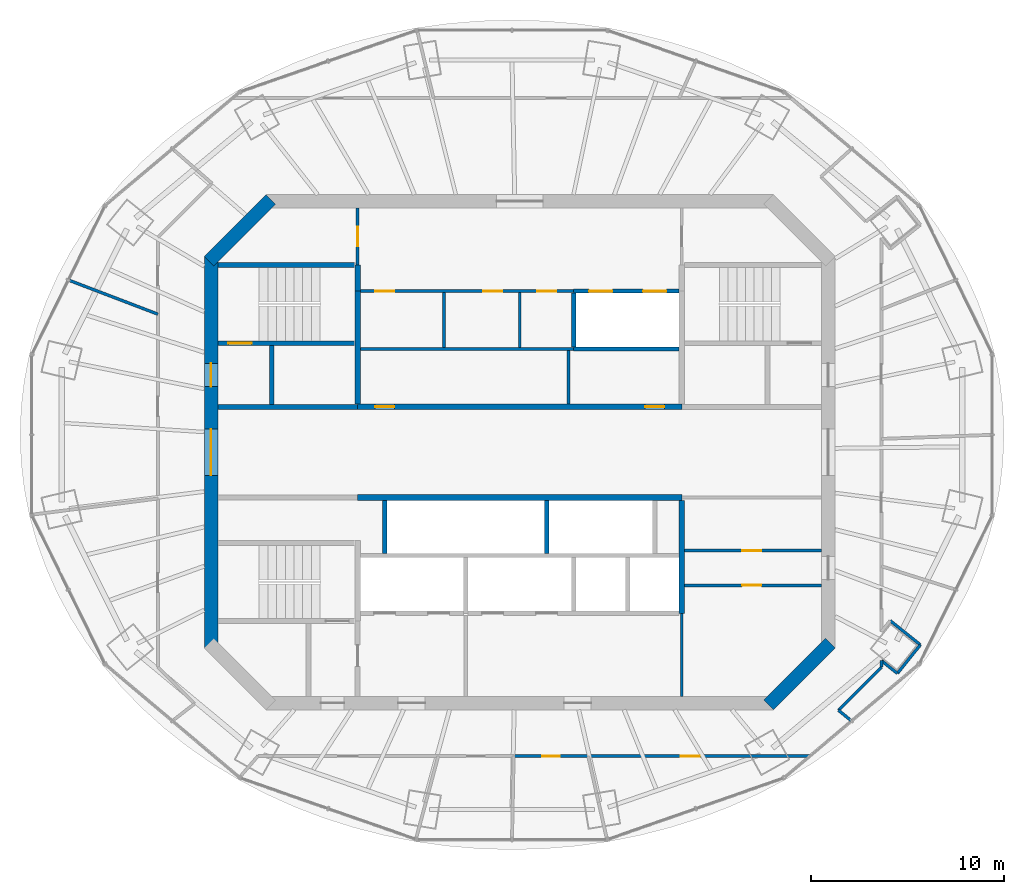
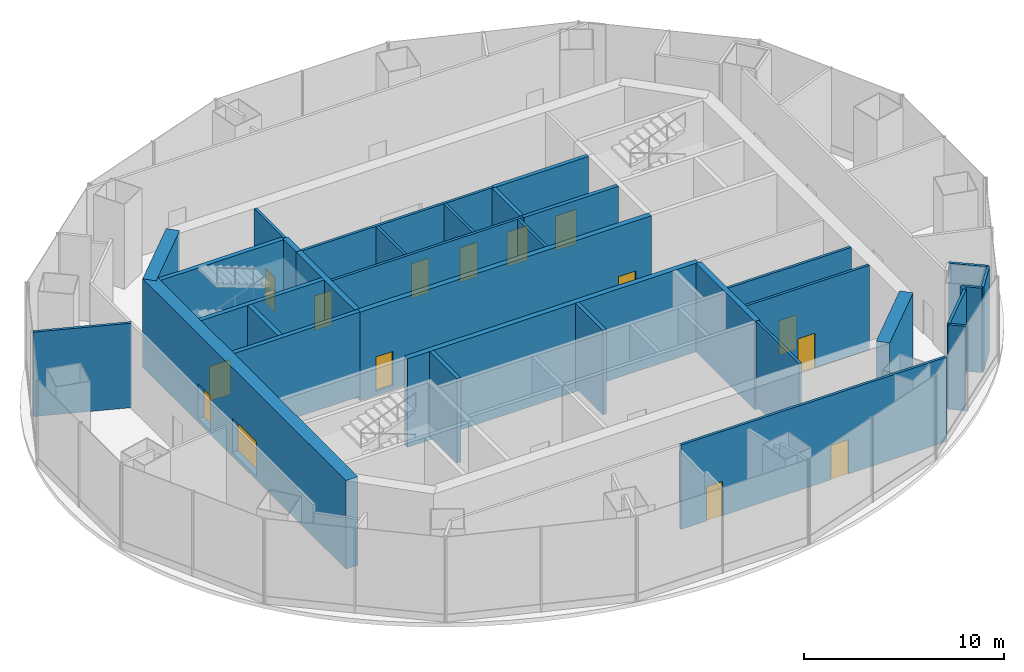
# One storey, part 8 of 11: 34 walls, 15 doors, 15 openings.
"""IFC4 building model written with IfcOpenShell, lengths in metres."""

from ifc_helpers import new_model, si_unit, direction, frame, frame_2d, origin, place, context, subcontext, project, spatial, rectangle, extrude, material, layer, layer_set, type_object, element, fill, save


model = new_model("IFC4")

# Units and contexts
model_context = context("Model", 3, precision=1e-05, world=origin(), true_north=direction((0.0, 1.0)))
body_context = subcontext(model_context, "Body", "Model", "MODEL_VIEW")
ifc_project = project(units=[si_unit("LENGTHUNIT", "METRE"), si_unit("AREAUNIT", "SQUARE_METRE"), si_unit("VOLUMEUNIT", "CUBIC_METRE"), si_unit("PLANEANGLEUNIT", "RADIAN"), si_unit("MASSUNIT", "GRAM", prefix="KILO")], contexts=[model_context])

# Site, building, storey
site_placement = place(None, origin())
site = spatial("IfcSite", under=ifc_project, at=site_placement, CompositionType="ELEMENT")
building_placement = place(site_placement, origin())
building = spatial("IfcBuilding", under=site, at=building_placement, Name="Marenthal Gate Tower", CompositionType="ELEMENT")
storey_placement = place(building_placement, frame((0.0, 0.0, 396.550048828125)))
storey = spatial("IfcBuildingStorey", under=building, at=storey_placement, Name="L90", CompositionType="ELEMENT", Elevation=396.550048828125)

# Walls
ifc_material_1 = material(Name="Concrete 60 MPa", Category="concrete")
ifc_layer_1 = layer(ifc_material_1, 0.699951171875)
ifc_layer_set_1 = layer_set([ifc_layer_1], Name="Core shear wall 700")
wall_type_1 = type_object("IfcWallType", Name="Core shear wall 700", PredefinedType="SHEAR", material=ifc_layer_set_1)
for number, where, z_axis, x_axis, name in (
    (1, (12.8974609375, -13.1025390625, -0.25), (0.0, 0.0, 1.0), (0.707106781187, 0.707106781187, 0.0), "Core wall 01"),
    (2, (-12.8974609375, 13.1025390625, -0.25), (0.0, 0.0, 1.0), (-0.707106781187, -0.707106781187, 0.0), "Core wall 05"),
):
    element("IfcWall", number, at=place(storey_placement, frame(where, z_axis=z_axis, x_axis=x_axis)), inside=storey, type_object=wall_type_1, Name=name, PredefinedType="SHEAR", context=body_context, shape_type="SweptSolid", body=[
        extrude(rectangle(XDim=4.53271484375, YDim=0.699951171875, at=frame_2d((2.266357421875, 0.0))), origin(), (0.0, 0.0, 1.0), 5.39990234375),
    ])

# Wall, openings, doors
wall_1_placement = place(storey_placement, frame((-16.0, 10.14501953125, -0.25), z_axis=(0.0, 0.0, 1.0), x_axis=(0.0, -1.0, 0.0)))
wall_1 = element("IfcWall", 3, at=wall_1_placement, inside=storey, type_object=wall_type_1, Name="Core wall 06", PredefinedType="SHEAR", context=body_context, shape_type="SweptSolid", body=[
    extrude(rectangle(XDim=20.2900390625, YDim=0.699951171875, at=frame_2d((10.14501953125, 0.0))), origin(), (0.0, 0.0, 1.0), 5.39990234375),
])
opening_1_placement = place(wall_1_placement, frame((8.945068359375, 0.0, 0.25)))
opening_1 = element("IfcOpeningElement", 4, at=opening_1_placement, cuts=wall_1, Name="Opening D003.01", PredefinedType="OPENING", context=body_context, shape_type="SweptSolid", body=[
    extrude(rectangle(XDim=2.39990234375, YDim=2.10009765625, at=frame_2d((1.199951171875, 1.050048828125))), frame((0.0, 0.35986328125, 0.0), z_axis=(0.0, -1.0, 0.0), x_axis=(1.0, 0.0, 0.0)), (0.0, 0.0, 1.0), 0.719970703125),
])
opening_2_placement = place(wall_1_placement, frame((5.544921875, 0.0, 0.25)))
opening_2 = element("IfcOpeningElement", 5, at=opening_2_placement, cuts=wall_1, Name="Opening D001.04", PredefinedType="OPENING", context=body_context, shape_type="SweptSolid", body=[
    extrude(rectangle(XDim=1.199951171875, YDim=2.10009765625, at=frame_2d((0.60009765625, 1.050048828125))), frame((0.0, 0.35986328125, 0.0), z_axis=(0.0, -1.0, 0.0), x_axis=(1.0, 0.0, 0.0)), (0.0, 0.0, 1.0), 0.719970703125),
])
ifc_material_2 = material(Name="Steel fire door", Category="steel")
door_type_1 = type_object("IfcDoorType", Name="Double fire door FD 45 2400 x 2100", OperationType="DOUBLE_DOOR_SINGLE_SWING", PredefinedType="DOOR", material=ifc_material_2)
door_1_placement = place(opening_1_placement, origin())
door_1 = element("IfcDoor", 6, at=door_1_placement, inside=storey, type_object=door_type_1, Name="Door D003.01", OperationType="DOUBLE_DOOR_SINGLE_SWING", OverallHeight=2.10009765625, OverallWidth=2.39990234375, PredefinedType="DOOR", context=body_context, shape_type="SweptSolid", body=[
    extrude(rectangle(XDim=2.39990234375, YDim=2.10009765625, at=frame_2d((1.199951171875, 1.050048828125))), frame((0.0, 0.02490234375, 0.0), z_axis=(0.0, -1.0, 0.0), x_axis=(1.0, 0.0, 0.0)), (0.0, 0.0, 1.0), 0.050048828125),
])
fill(opening_1, door_1)
ifc_material_3 = material(Name="Steel fire door", Category="steel")
door_type_2 = type_object("IfcDoorType", Name="Fire door FD 90 1200 x 2100", OperationType="NOTDEFINED", PredefinedType="DOOR", material=ifc_material_3)
door_2_placement = place(opening_2_placement, origin())
door_2 = element("IfcDoor", 7, at=door_2_placement, inside=storey, type_object=door_type_2, Name="Door D001.04", OperationType="SINGLE_SWING_RIGHT", OverallHeight=2.10009765625, OverallWidth=1.199951171875, PredefinedType="DOOR", context=body_context, shape_type="SweptSolid", body=[
    extrude(rectangle(XDim=1.199951171875, YDim=2.10009765625, at=frame_2d((0.60009765625, 1.050048828125))), frame((0.0, 0.02490234375, 0.0), z_axis=(0.0, -1.0, 0.0), x_axis=(1.0, 0.0, 0.0)), (0.0, 0.0, 1.0), 0.050048828125),
])
fill(opening_2, door_2)

# Wall
ifc_material_4 = material(Name="Concrete 50 MPa", Category="concrete")
ifc_layer_2 = layer(ifc_material_4, 0.300048828125)
ifc_layer_set_2 = layer_set([ifc_layer_2], Name="Hoistway shear wall 300")
wall_type_2 = type_object("IfcWallType", Name="Hoistway shear wall 300", PredefinedType="SHEAR", material=ifc_layer_set_2)
wall_2_placement = place(storey_placement, frame((-8.39990234375, -2.35009765625, -0.25), z_axis=(0.0, 0.0, 1.0), x_axis=(1.0, 0.0, 0.0)))
element("IfcWall", 8, at=wall_2_placement, inside=storey, type_object=wall_type_2, Name="Hoistway wall 17", PredefinedType="SHEAR", context=body_context, shape_type="SweptSolid", body=[
    extrude(rectangle(XDim=16.7998046875, YDim=0.300048828125, at=frame_2d((8.39990234375, 0.0))), origin(), (0.0, 0.0, 1.0), 5.39990234375),
])

# Wall, openings, doors
wall_3_placement = place(storey_placement, frame((-8.39990234375, 2.35009765625, -0.25), z_axis=(0.0, 0.0, 1.0), x_axis=(1.0, 0.0, 0.0)))
wall_3 = element("IfcWall", 9, at=wall_3_placement, inside=storey, type_object=wall_type_2, Name="Hoistway wall 20", PredefinedType="SHEAR", context=body_context, shape_type="SweptSolid", body=[
    extrude(rectangle(XDim=16.7998046875, YDim=0.300048828125, at=frame_2d((8.39990234375, 0.0))), origin(), (0.0, 0.0, 1.0), 5.39990234375),
])
opening_3_placement = place(wall_3_placement, frame((0.89990234375, 0.0, 0.25)))
opening_3 = element("IfcOpeningElement", 10, at=opening_3_placement, cuts=wall_3, Name="Opening D005.01", PredefinedType="OPENING", context=body_context, shape_type="SweptSolid", body=[
    extrude(rectangle(XDim=1.0, YDim=2.10009765625, at=frame_2d((0.5, 1.050048828125))), frame((0.0, 0.16015625, 0.0), z_axis=(0.0, -1.0, 0.0), x_axis=(1.0, 0.0, 0.0)), (0.0, 0.0, 1.0), 0.320068359375),
])
opening_4_placement = place(wall_3_placement, frame((14.89990234375, 0.0, 0.25)))
opening_4 = element("IfcOpeningElement", 11, at=opening_4_placement, cuts=wall_3, Name="Opening D005.02", PredefinedType="OPENING", context=body_context, shape_type="SweptSolid", body=[
    extrude(rectangle(XDim=1.0, YDim=2.10009765625, at=frame_2d((0.5, 1.050048828125))), frame((0.0, 0.16015625, 0.0), z_axis=(0.0, -1.0, 0.0), x_axis=(1.0, 0.0, 0.0)), (0.0, 0.0, 1.0), 0.320068359375),
])
ifc_material_5 = material(Name="Steel fire door", Category="steel")
door_type_3 = type_object("IfcDoorType", Name="Fire door FD 45 1000 x 2100", OperationType="NOTDEFINED", PredefinedType="DOOR", material=ifc_material_5)
door_3_placement = place(opening_3_placement, origin())
door_3 = element("IfcDoor", 12, at=door_3_placement, inside=storey, type_object=door_type_3, Name="Door D005.01", OperationType="SINGLE_SWING_RIGHT", OverallHeight=2.10009765625, OverallWidth=1.0, PredefinedType="DOOR", context=body_context, shape_type="SweptSolid", body=[
    extrude(rectangle(XDim=1.0, YDim=2.10009765625, at=frame_2d((0.5, 1.050048828125))), frame((0.0, 0.02490234375, 0.0), z_axis=(0.0, -1.0, 0.0), x_axis=(1.0, 0.0, 0.0)), (0.0, 0.0, 1.0), 0.050048828125),
])
fill(opening_3, door_3)
door_4_placement = place(opening_4_placement, origin())
door_4 = element("IfcDoor", 13, at=door_4_placement, inside=storey, type_object=door_type_3, Name="Door D005.02", OperationType="SINGLE_SWING_RIGHT", OverallHeight=2.10009765625, OverallWidth=1.0, PredefinedType="DOOR", context=body_context, shape_type="SweptSolid", body=[
    extrude(rectangle(XDim=1.0, YDim=2.10009765625, at=frame_2d((0.5, 1.050048828125))), frame((0.0, 0.02490234375, 0.0), z_axis=(0.0, -1.0, 0.0), x_axis=(1.0, 0.0, 0.0)), (0.0, 0.0, 1.0), 0.050048828125),
])
fill(opening_4, door_4)

# Walls
for number, where, z_axis, x_axis, name in (
    (14, (-8.39990234375, 2.5, -0.25), (0.0, 0.0, 1.0), (0.0, 1.0, 0.0), "Hoistway wall 34"),
    (15, (8.39990234375, -8.35009765625, -0.25), (0.0, 0.0, 1.0), (0.0, 1.0, 0.0), "Hoistway wall 49"),
):
    element("IfcWall", number, at=place(storey_placement, frame(where, z_axis=z_axis, x_axis=x_axis)), inside=storey, type_object=wall_type_2, Name=name, PredefinedType="SHEAR", context=body_context, shape_type="SweptSolid", body=[
        extrude(rectangle(XDim=5.85009765625, YDim=0.300048828125, at=frame_2d((2.925048828125, 0.0))), origin(), (0.0, 0.0, 1.0), 5.39990234375),
    ])
ifc_material_6 = material(Name="Concrete 40 MPa", Category="concrete")
ifc_layer_3 = layer(ifc_material_6, 0.219970703125)
ifc_layer_set_3 = layer_set([ifc_layer_3], Name="Hoistway wall 220")
wall_type_3 = type_object("IfcWallType", Name="Hoistway wall 220", PredefinedType="STANDARD", material=ifc_layer_set_3)
wall_4_placement = place(storey_placement, frame((2.800048828125, 5.35009765625, 0.0), z_axis=(0.0, 0.0, 1.0), x_axis=(1.0, 0.0, 0.0)))
element("IfcWall", 16, at=wall_4_placement, inside=storey, type_object=wall_type_3, Name="Hoistway wall 23", PredefinedType="STANDARD", context=body_context, shape_type="SweptSolid", body=[
    extrude(rectangle(XDim=5.449951171875, YDim=0.219970703125, at=frame_2d((2.72509765625, 0.0))), origin(), (0.0, 0.0, 1.0), 5.14990234375),
])

# Wall, openings, doors
wall_5_placement = place(storey_placement, frame((2.800048828125, 8.35009765625, 0.0), z_axis=(0.0, 0.0, 1.0), x_axis=(1.0, 0.0, 0.0)))
wall_5 = element("IfcWall", 17, at=wall_5_placement, inside=storey, type_object=wall_type_3, Name="Hoistway wall 27", PredefinedType="STANDARD", context=body_context, shape_type="SweptSolid", body=[
    extrude(rectangle(XDim=5.449951171875, YDim=0.219970703125, at=frame_2d((2.72509765625, 0.0))), origin(), (0.0, 0.0, 1.0), 5.14990234375),
])
opening_5_placement = place(wall_5_placement, frame((0.800048828125, 0.0, 0.0)))
opening_5 = element("IfcOpeningElement", 18, at=opening_5_placement, cuts=wall_5, Name="Opening LD-OB1", PredefinedType="OPENING", context=body_context, shape_type="SweptSolid", body=[
    extrude(rectangle(XDim=1.199951171875, YDim=2.10009765625, at=frame_2d((0.60009765625, 1.050048828125))), frame((0.0, 0.1201171875, 0.0), z_axis=(0.0, -1.0, 0.0), x_axis=(1.0, 0.0, 0.0)), (0.0, 0.0, 1.0), 0.239990234375),
])
opening_6_placement = place(wall_5_placement, frame((3.60009765625, 0.0, 0.0)))
opening_6 = element("IfcOpeningElement", 19, at=opening_6_placement, cuts=wall_5, Name="Opening LD-OB2", PredefinedType="OPENING", context=body_context, shape_type="SweptSolid", body=[
    extrude(rectangle(XDim=1.199951171875, YDim=2.10009765625, at=frame_2d((0.60009765625, 1.050048828125))), frame((0.0, 0.1201171875, 0.0), z_axis=(0.0, -1.0, 0.0), x_axis=(1.0, 0.0, 0.0)), (0.0, 0.0, 1.0), 0.239990234375),
])
ifc_material_7 = material(Name="Stainless steel sliding door", Category="steel")
door_type_4 = type_object("IfcDoorType", Name="Lift landing door FD 90 1200 x 2100", OperationType="DOUBLE_DOOR_SLIDING", PredefinedType="DOOR", material=ifc_material_7)
door_5_placement = place(opening_5_placement, origin())
door_5 = element("IfcDoor", 20, at=door_5_placement, inside=storey, type_object=door_type_4, Name="Lift landing door OB1", OperationType="DOUBLE_DOOR_SLIDING", OverallHeight=2.10009765625, OverallWidth=1.199951171875, PredefinedType="DOOR", context=body_context, shape_type="SweptSolid", body=[
    extrude(rectangle(XDim=1.199951171875, YDim=2.10009765625, at=frame_2d((0.60009765625, 1.050048828125))), frame((0.0, 0.02490234375, 0.0), z_axis=(0.0, -1.0, 0.0), x_axis=(1.0, 0.0, 0.0)), (0.0, 0.0, 1.0), 0.050048828125),
])
fill(opening_5, door_5)
door_6_placement = place(opening_6_placement, origin())
door_6 = element("IfcDoor", 21, at=door_6_placement, inside=storey, type_object=door_type_4, Name="Lift landing door OB2", OperationType="DOUBLE_DOOR_SLIDING", OverallHeight=2.10009765625, OverallWidth=1.199951171875, PredefinedType="DOOR", context=body_context, shape_type="SweptSolid", body=[
    extrude(rectangle(XDim=1.199951171875, YDim=2.10009765625, at=frame_2d((0.60009765625, 1.050048828125))), frame((0.0, 0.02490234375, 0.0), z_axis=(0.0, -1.0, 0.0), x_axis=(1.0, 0.0, 0.0)), (0.0, 0.0, 1.0), 0.050048828125),
])
fill(opening_6, door_6)

# Walls
for number, where, z_axis, x_axis, name in (
    (22, (-7.0, -5.239990234375, 0.0), (0.0, 0.0, 1.0), (0.0, 1.0, 0.0), "Hoistway wall 37"),
    (23, (1.39990234375, -5.239990234375, 0.0), (0.0, 0.0, 1.0), (0.0, 1.0, 0.0), "Hoistway wall 42"),
):
    element("IfcWall", number, at=place(storey_placement, frame(where, z_axis=z_axis, x_axis=x_axis)), inside=storey, type_object=wall_type_3, Name=name, PredefinedType="STANDARD", context=body_context, shape_type="SweptSolid", body=[
        extrude(rectangle(XDim=2.739990234375, YDim=0.219970703125, at=frame_2d((1.3701171875, 0.0))), origin(), (0.0, 0.0, 1.0), 5.14990234375),
    ])
wall_6_placement = place(storey_placement, frame((2.800048828125, 5.4599609375, 0.0), z_axis=(0.0, 0.0, 1.0), x_axis=(0.0, 1.0, 0.0)))
element("IfcWall", 24, at=wall_6_placement, inside=storey, type_object=wall_type_3, Name="Hoistway wall 45", PredefinedType="STANDARD", context=body_context, shape_type="SweptSolid", body=[
    extrude(rectangle(XDim=2.780029296875, YDim=0.219970703125, at=frame_2d((1.39013671875, 0.0))), origin(), (0.0, 0.0, 1.0), 5.14990234375),
])

# Wall, opening, door
ifc_material_8 = material(Name="Gypsum board on steel studs", Category="steel")
ifc_layer_4 = layer(ifc_material_8, 0.14990234375)
ifc_layer_set_4 = layer_set([ifc_layer_4], Name="Partition 150")
wall_type_4 = type_object("IfcWallType", Name="Partition 150", PredefinedType="PARTITIONING", material=ifc_layer_set_4)
wall_7_placement = place(storey_placement, frame((8.550048828125, -6.89990234375, 0.0), z_axis=(0.0, 0.0, 1.0), x_axis=(1.0, 0.0, 0.0)))
wall_7 = element("IfcWall", 25, at=wall_7_placement, inside=storey, type_object=wall_type_4, Name="Partition wall 12", PredefinedType="PARTITIONING", context=body_context, shape_type="SweptSolid", body=[
    extrude(rectangle(XDim=7.099853515625, YDim=0.14990234375, at=frame_2d((3.5498046875, 0.0))), origin(), (0.0, 0.0, 1.0), 5.14990234375),
])
opening_7_placement = place(wall_7_placement, frame((2.97509765625, 0.0, 0.0)))
opening_7 = element("IfcOpeningElement", 26, at=opening_7_placement, cuts=wall_7, Name="Opening D005.09", PredefinedType="OPENING", context=body_context, shape_type="SweptSolid", body=[
    extrude(rectangle(XDim=1.0, YDim=2.10009765625, at=frame_2d((0.5, 1.050048828125))), frame((0.0, 0.0849609375, 0.0), z_axis=(0.0, -1.0, 0.0), x_axis=(1.0, 0.0, 0.0)), (0.0, 0.0, 1.0), 0.169921875),
])
door_7_placement = place(opening_7_placement, frame((1.0, 0.0, 0.0), z_axis=(0.0, 0.0, 1.0), x_axis=(-1.0, 0.0, 0.0)))
door_7 = element("IfcDoor", 27, at=door_7_placement, inside=storey, type_object=door_type_3, Name="Door D005.09", OperationType="SINGLE_SWING_LEFT", OverallHeight=2.10009765625, OverallWidth=1.0, PredefinedType="DOOR", context=body_context, shape_type="SweptSolid", body=[
    extrude(rectangle(XDim=1.0, YDim=2.10009765625, at=frame_2d((0.5, 1.050048828125))), frame((0.0, 0.02490234375, 0.0), z_axis=(0.0, -1.0, 0.0), x_axis=(1.0, 0.0, 0.0)), (0.0, 0.0, 1.0), 0.050048828125),
])
fill(opening_7, door_7)

wall_8_placement = place(storey_placement, frame((8.550048828125, -5.10009765625, 0.0), z_axis=(0.0, 0.0, 1.0), x_axis=(1.0, 0.0, 0.0)))
wall_8 = element("IfcWall", 28, at=wall_8_placement, inside=storey, type_object=wall_type_4, Name="Partition wall 14", PredefinedType="PARTITIONING", context=body_context, shape_type="SweptSolid", body=[
    extrude(rectangle(XDim=7.099853515625, YDim=0.14990234375, at=frame_2d((3.5498046875, 0.0))), origin(), (0.0, 0.0, 1.0), 5.14990234375),
])
opening_8_placement = place(wall_8_placement, frame((2.97509765625, 0.0, 0.0)))
opening_8 = element("IfcOpeningElement", 29, at=opening_8_placement, cuts=wall_8, Name="Opening D005.08", PredefinedType="OPENING", context=body_context, shape_type="SweptSolid", body=[
    extrude(rectangle(XDim=1.0, YDim=2.10009765625, at=frame_2d((0.5, 1.050048828125))), frame((0.0, 0.0849609375, 0.0), z_axis=(0.0, -1.0, 0.0), x_axis=(1.0, 0.0, 0.0)), (0.0, 0.0, 1.0), 0.169921875),
])
door_8_placement = place(opening_8_placement, origin())
door_8 = element("IfcDoor", 30, at=door_8_placement, inside=storey, type_object=door_type_3, Name="Door D005.08", OperationType="SINGLE_SWING_RIGHT", OverallHeight=2.10009765625, OverallWidth=1.0, PredefinedType="DOOR", context=body_context, shape_type="SweptSolid", body=[
    extrude(rectangle(XDim=1.0, YDim=2.10009765625, at=frame_2d((0.5, 1.050048828125))), frame((0.0, 0.02490234375, 0.0), z_axis=(0.0, -1.0, 0.0), x_axis=(1.0, 0.0, 0.0)), (0.0, 0.0, 1.0), 0.050048828125),
])
fill(opening_8, door_8)

# Wall
wall_9_placement = place(storey_placement, frame((-8.25, 5.35009765625, 0.0), z_axis=(0.0, 0.0, 1.0), x_axis=(1.0, 0.0, 0.0)))
element("IfcWall", 31, at=wall_9_placement, inside=storey, type_object=wall_type_4, Name="Partition wall 22", PredefinedType="PARTITIONING", context=body_context, shape_type="SweptSolid", body=[
    extrude(rectangle(XDim=11.050048828125, YDim=0.14990234375, at=frame_2d((5.52490234375, 0.0))), origin(), (0.0, 0.0, 1.0), 5.14990234375),
])

# Wall, openings, doors
wall_10_placement = place(storey_placement, frame((-8.25, 8.35009765625, 0.0), z_axis=(0.0, 0.0, 1.0), x_axis=(1.0, 0.0, 0.0)))
wall_10 = element("IfcWall", 32, at=wall_10_placement, inside=storey, type_object=wall_type_4, Name="Partition wall 26", PredefinedType="PARTITIONING", context=body_context, shape_type="SweptSolid", body=[
    extrude(rectangle(XDim=11.050048828125, YDim=0.14990234375, at=frame_2d((5.52490234375, 0.0))), origin(), (0.0, 0.0, 1.0), 5.14990234375),
])
opening_9_placement = place(wall_10_placement, frame((0.75, 0.0, 0.0)))
opening_9 = element("IfcOpeningElement", 33, at=opening_9_placement, cuts=wall_10, Name="Opening D005.03", PredefinedType="OPENING", context=body_context, shape_type="SweptSolid", body=[
    extrude(rectangle(XDim=1.0, YDim=2.10009765625, at=frame_2d((0.5, 1.050048828125))), frame((0.0, 0.0849609375, 0.0), z_axis=(0.0, -1.0, 0.0), x_axis=(1.0, 0.0, 0.0)), (0.0, 0.0, 1.0), 0.169921875),
])
opening_10_placement = place(wall_10_placement, frame((6.35009765625, 0.0, 0.0)))
opening_10 = element("IfcOpeningElement", 34, at=opening_10_placement, cuts=wall_10, Name="Opening D005.04", PredefinedType="OPENING", context=body_context, shape_type="SweptSolid", body=[
    extrude(rectangle(XDim=1.0, YDim=2.10009765625, at=frame_2d((0.5, 1.050048828125))), frame((0.0, 0.0849609375, 0.0), z_axis=(0.0, -1.0, 0.0), x_axis=(1.0, 0.0, 0.0)), (0.0, 0.0, 1.0), 0.169921875),
])
opening_11_placement = place(wall_10_placement, frame((9.14990234375, 0.0, 0.0)))
opening_11 = element("IfcOpeningElement", 35, at=opening_11_placement, cuts=wall_10, Name="Opening D005.05", PredefinedType="OPENING", context=body_context, shape_type="SweptSolid", body=[
    extrude(rectangle(XDim=1.0, YDim=2.10009765625, at=frame_2d((0.5, 1.050048828125))), frame((0.0, 0.0849609375, 0.0), z_axis=(0.0, -1.0, 0.0), x_axis=(1.0, 0.0, 0.0)), (0.0, 0.0, 1.0), 0.169921875),
])
door_9_placement = place(opening_9_placement, frame((1.0, 0.0, 0.0), z_axis=(0.0, 0.0, 1.0), x_axis=(-1.0, 0.0, 0.0)))
door_9 = element("IfcDoor", 36, at=door_9_placement, inside=storey, type_object=door_type_3, Name="Door D005.03", OperationType="SINGLE_SWING_LEFT", OverallHeight=2.10009765625, OverallWidth=1.0, PredefinedType="DOOR", context=body_context, shape_type="SweptSolid", body=[
    extrude(rectangle(XDim=1.0, YDim=2.10009765625, at=frame_2d((0.5, 1.050048828125))), frame((0.0, 0.02490234375, 0.0), z_axis=(0.0, -1.0, 0.0), x_axis=(1.0, 0.0, 0.0)), (0.0, 0.0, 1.0), 0.050048828125),
])
fill(opening_9, door_9)
door_10_placement = place(opening_10_placement, frame((1.0, 0.0, 0.0), z_axis=(0.0, 0.0, 1.0), x_axis=(-1.0, 0.0, 0.0)))
door_10 = element("IfcDoor", 37, at=door_10_placement, inside=storey, type_object=door_type_3, Name="Door D005.04", OperationType="SINGLE_SWING_LEFT", OverallHeight=2.10009765625, OverallWidth=1.0, PredefinedType="DOOR", context=body_context, shape_type="SweptSolid", body=[
    extrude(rectangle(XDim=1.0, YDim=2.10009765625, at=frame_2d((0.5, 1.050048828125))), frame((0.0, 0.02490234375, 0.0), z_axis=(0.0, -1.0, 0.0), x_axis=(1.0, 0.0, 0.0)), (0.0, 0.0, 1.0), 0.050048828125),
])
fill(opening_10, door_10)
door_11_placement = place(opening_11_placement, frame((1.0, 0.0, 0.0), z_axis=(0.0, 0.0, 1.0), x_axis=(-1.0, 0.0, 0.0)))
door_11 = element("IfcDoor", 38, at=door_11_placement, inside=storey, type_object=door_type_3, Name="Door D005.05", OperationType="SINGLE_SWING_LEFT", OverallHeight=2.10009765625, OverallWidth=1.0, PredefinedType="DOOR", context=body_context, shape_type="SweptSolid", body=[
    extrude(rectangle(XDim=1.0, YDim=2.10009765625, at=frame_2d((0.5, 1.050048828125))), frame((0.0, 0.02490234375, 0.0), z_axis=(0.0, -1.0, 0.0), x_axis=(1.0, 0.0, 0.0)), (0.0, 0.0, 1.0), 0.050048828125),
])
fill(opening_11, door_11)

# Wall, opening, door
wall_11_placement = place(storey_placement, frame((-8.39990234375, 9.699951171875, 0.0), z_axis=(0.0, 0.0, 1.0), x_axis=(0.0, 1.0, 0.0)))
wall_11 = element("IfcWall", 39, at=wall_11_placement, inside=storey, type_object=wall_type_4, Name="Partition wall 36", PredefinedType="PARTITIONING", context=body_context, shape_type="SweptSolid", body=[
    extrude(rectangle(XDim=2.949951171875, YDim=0.14990234375, at=frame_2d((1.47509765625, 0.0))), origin(), (0.0, 0.0, 1.0), 5.14990234375),
])
opening_12_placement = place(wall_11_placement, frame((0.97509765625, 0.0, 0.0)))
opening_12 = element("IfcOpeningElement", 40, at=opening_12_placement, cuts=wall_11, Name="Opening D005.06", PredefinedType="OPENING", context=body_context, shape_type="SweptSolid", body=[
    extrude(rectangle(XDim=1.0, YDim=2.10009765625, at=frame_2d((0.5, 1.050048828125))), frame((0.0, 0.0849609375, 0.0), z_axis=(0.0, -1.0, 0.0), x_axis=(1.0, 0.0, 0.0)), (0.0, 0.0, 1.0), 0.169921875),
])
door_12_placement = place(opening_12_placement, origin())
door_12 = element("IfcDoor", 41, at=door_12_placement, inside=storey, type_object=door_type_3, Name="Door D005.06", OperationType="SINGLE_SWING_RIGHT", OverallHeight=2.10009765625, OverallWidth=1.0, PredefinedType="DOOR", context=body_context, shape_type="SweptSolid", body=[
    extrude(rectangle(XDim=1.0, YDim=2.10009765625, at=frame_2d((0.5, 1.050048828125))), frame((0.0, 0.02490234375, 0.0), z_axis=(0.0, -1.0, 0.0), x_axis=(1.0, 0.0, 0.0)), (0.0, 0.0, 1.0), 0.050048828125),
])
fill(opening_12, door_12)

# Walls
for number, where, z_axis, x_axis, name in (
    (42, (-3.919921875, 5.425048828125, 0.0), (0.0, 0.0, 1.0), (0.0, 1.0, 0.0), "Partition wall 38"),
    (43, (0.0, 5.425048828125, 0.0), (0.0, 0.0, 1.0), (0.0, 1.0, 0.0), "Partition wall 41"),
):
    element("IfcWall", number, at=place(storey_placement, frame(where, z_axis=z_axis, x_axis=x_axis)), inside=storey, type_object=wall_type_4, Name=name, PredefinedType="PARTITIONING", context=body_context, shape_type="SweptSolid", body=[
        extrude(rectangle(XDim=2.849853515625, YDim=0.14990234375, at=frame_2d((1.4248046875, 0.0))), origin(), (0.0, 0.0, 1.0), 5.14990234375),
    ])
wall_12_placement = place(storey_placement, frame((2.52001953125, 2.5, 0.0), z_axis=(0.0, 0.0, 1.0), x_axis=(0.0, 1.0, 0.0)))
element("IfcWall", 44, at=wall_12_placement, inside=storey, type_object=wall_type_4, Name="Partition wall 43", PredefinedType="PARTITIONING", context=body_context, shape_type="SweptSolid", body=[
    extrude(rectangle(XDim=2.77490234375, YDim=0.14990234375, at=frame_2d((1.387451171875, 0.0))), origin(), (0.0, 0.0, 1.0), 5.14990234375),
])
wall_13_placement = place(storey_placement, frame((8.39990234375, -12.64990234375, 0.0), z_axis=(0.0, 0.0, 1.0), x_axis=(0.0, 1.0, 0.0)))
element("IfcWall", 45, at=wall_13_placement, inside=storey, type_object=wall_type_4, Name="Partition wall 48", PredefinedType="PARTITIONING", context=body_context, shape_type="SweptSolid", body=[
    extrude(rectangle(XDim=4.2998046875, YDim=0.14990234375, at=frame_2d((2.14990234375, 0.0))), origin(), (0.0, 0.0, 1.0), 5.14990234375),
])

# Wall, openings, doors
wall_14_placement = place(storey_placement, frame((-0.31884765625, -15.75, 0.0), z_axis=(0.0, 0.0, 1.0), x_axis=(1.0, 0.0, 0.0)))
wall_14 = element("IfcWall", 46, at=wall_14_placement, inside=storey, type_object=wall_type_4, Name="Partition wall 54", PredefinedType="PARTITIONING", context=body_context, shape_type="SweptSolid", body=[
    extrude(rectangle(XDim=15.326416015625, YDim=0.14990234375, at=frame_2d((7.6630859375, 0.0))), origin(), (0.0, 0.0, 1.0), 5.14990234375),
])
opening_13_placement = place(wall_14_placement, frame((1.486083984375, 0.0, 0.0)))
opening_13 = element("IfcOpeningElement", 47, at=opening_13_placement, cuts=wall_14, Name="Opening D011.02", PredefinedType="OPENING", context=body_context, shape_type="SweptSolid", body=[
    extrude(rectangle(XDim=0.89990234375, YDim=2.10009765625, at=frame_2d((0.449951171875, 1.050048828125))), frame((0.0, 0.0849609375, 0.0), z_axis=(0.0, -1.0, 0.0), x_axis=(1.0, 0.0, 0.0)), (0.0, 0.0, 1.0), 0.169921875),
])
opening_14_placement = place(wall_14_placement, frame((8.66259765625, 0.0, 0.0)))
opening_14 = element("IfcOpeningElement", 48, at=opening_14_placement, cuts=wall_14, Name="Opening D012.10", PredefinedType="OPENING", context=body_context, shape_type="SweptSolid", body=[
    extrude(rectangle(XDim=1.0, YDim=2.10009765625, at=frame_2d((0.5, 1.050048828125))), frame((0.0, 0.0849609375, 0.0), z_axis=(0.0, -1.0, 0.0), x_axis=(1.0, 0.0, 0.0)), (0.0, 0.0, 1.0), 0.169921875),
])
ifc_material_9 = material(Name="Timber door", Category="wood")
door_type_5 = type_object("IfcDoorType", Name="Door 1000 x 2100", OperationType="NOTDEFINED", PredefinedType="DOOR", material=ifc_material_9)
door_13_placement = place(opening_14_placement, frame((1.0, 0.0, 0.0), z_axis=(0.0, 0.0, 1.0), x_axis=(-1.0, 0.0, 0.0)))
door_13 = element("IfcDoor", 49, at=door_13_placement, inside=storey, type_object=door_type_5, Name="Door D012.10", OperationType="SINGLE_SWING_LEFT", OverallHeight=2.10009765625, OverallWidth=1.0, PredefinedType="DOOR", context=body_context, shape_type="SweptSolid", body=[
    extrude(rectangle(XDim=1.0, YDim=2.10009765625, at=frame_2d((0.5, 1.050048828125))), frame((0.0, 0.02490234375, 0.0), z_axis=(0.0, -1.0, 0.0), x_axis=(1.0, 0.0, 0.0)), (0.0, 0.0, 1.0), 0.050048828125),
])
fill(opening_14, door_13)
ifc_material_10 = material(Name="Timber door", Category="wood")
door_type_6 = type_object("IfcDoorType", Name="Door 900 x 2100", OperationType="NOTDEFINED", PredefinedType="DOOR", material=ifc_material_10)
door_14_placement = place(opening_13_placement, frame((0.89990234375, 0.0, 0.0), z_axis=(0.0, 0.0, 1.0), x_axis=(-1.0, 0.0, 0.0)))
door_14 = element("IfcDoor", 50, at=door_14_placement, inside=storey, type_object=door_type_6, Name="Door D011.02", OperationType="SINGLE_SWING_LEFT", OverallHeight=2.10009765625, OverallWidth=0.89990234375, PredefinedType="DOOR", context=body_context, shape_type="SweptSolid", body=[
    extrude(rectangle(XDim=0.89990234375, YDim=2.10009765625, at=frame_2d((0.449951171875, 1.050048828125))), frame((0.0, 0.02490234375, 0.0), z_axis=(0.0, -1.0, 0.0), x_axis=(1.0, 0.0, 0.0)), (0.0, 0.0, 1.0), 0.050048828125),
])
fill(opening_13, door_14)

# Walls
wall_15_placement = place(storey_placement, frame((16.515380859375, -13.373779296875, 0.0), z_axis=(0.0, 0.0, 1.0), x_axis=(0.707106781187, 0.707106781187, 0.0)))
element("IfcWall", 51, at=wall_15_placement, inside=storey, type_object=wall_type_4, Name="Partition wall 63", PredefinedType="PARTITIONING", context=body_context, shape_type="SweptSolid", body=[
    extrude(rectangle(XDim=3.16015625, YDim=0.14990234375, at=frame_2d((1.580078125, 0.0))), origin(), (0.0, 0.0, 1.0), 5.14990234375),
])
wall_16_placement = place(storey_placement, frame((19.57373046875, -11.46728515625, 0.0), z_axis=(0.0, 0.0, 1.0), x_axis=(0.6262293762, 0.779638870493, 0.0)))
element("IfcWall", 52, at=wall_16_placement, inside=storey, type_object=wall_type_4, Name="Partition wall 65", PredefinedType="PARTITIONING", context=body_context, shape_type="SweptSolid", body=[
    extrude(rectangle(XDim=1.900146484375, YDim=0.14990234375, at=frame_2d((0.9501953125, 0.0))), origin(), (0.0, 0.0, 1.0), 5.14990234375),
])
wall_17_placement = place(storey_placement, frame((18.75, -11.13916015625, 0.0), z_axis=(0.0, 0.0, 1.0), x_axis=(0.0, 1.0, 0.0)))
element("IfcWall", 53, at=wall_17_placement, inside=storey, type_object=wall_type_4, Name="Partition wall 68", PredefinedType="PARTITIONING", context=body_context, shape_type="SweptSolid", body=[
    extrude(rectangle(XDim=0.33349609375, YDim=0.14990234375, at=frame_2d((0.166748046875, 0.0))), origin(), (0.0, 0.0, 1.0), 5.14990234375),
])
wall_18_placement = place(storey_placement, frame((20.763671875, -9.98583984375, 0.0), z_axis=(0.0, 0.0, 1.0), x_axis=(-0.779700462406, 0.626152688187, 0.0)))
element("IfcWall", 54, at=wall_18_placement, inside=storey, type_object=wall_type_4, Name="Partition wall 79", PredefinedType="PARTITIONING", context=body_context, shape_type="SweptSolid", body=[
    extrude(rectangle(XDim=2.000244140625, YDim=0.14990234375, at=frame_2d((1.0, 0.0))), origin(), (0.0, 0.0, 1.0), 5.14990234375),
])
wall_19_placement = place(storey_placement, frame((19.57373046875, -11.46728515625, 0.0), z_axis=(0.0, 0.0, 1.0), x_axis=(-0.779649951453, 0.62621558045, 0.0)))
element("IfcWall", 55, at=wall_19_placement, inside=storey, type_object=wall_type_4, Name="Partition wall 80", PredefinedType="PARTITIONING", context=body_context, shape_type="SweptSolid", body=[
    extrude(rectangle(XDim=1.056640625, YDim=0.14990234375, at=frame_2d((0.5283203125, 0.0))), origin(), (0.0, 0.0, 1.0), 5.14990234375),
])
wall_20_placement = place(storey_placement, frame((17.184814453125, -13.916015625, 0.0), z_axis=(0.0, 0.0, 1.0), x_axis=(-0.77706665064, 0.629418319136, 0.0)))
element("IfcWall", 56, at=wall_20_placement, inside=storey, type_object=wall_type_4, Name="Partition wall 81", PredefinedType="PARTITIONING", context=body_context, shape_type="SweptSolid", body=[
    extrude(rectangle(XDim=0.861572265625, YDim=0.14990234375, at=frame_2d((0.4306640625, 0.0))), origin(), (0.0, 0.0, 1.0), 5.14990234375),
])
wall_21_placement = place(storey_placement, frame((-18.75, 7.15185546875, 0.0), z_axis=(0.0, 0.0, 1.0), x_axis=(-0.934331505046, 0.356405160847, 0.0)))
element("IfcWall", 57, at=wall_21_placement, inside=storey, type_object=wall_type_4, Name="Partition wall 82", PredefinedType="PARTITIONING", context=body_context, shape_type="SweptSolid", body=[
    extrude(rectangle(XDim=4.9541015625, YDim=0.14990234375, at=frame_2d((2.47705078125, 0.0))), origin(), (0.0, 0.0, 1.0), 5.14990234375),
])
ifc_material_11 = material(Name="Concrete 40 MPa", Category="concrete")
ifc_layer_5 = layer(ifc_material_11, 0.25)
ifc_layer_set_5 = layer_set([ifc_layer_5], Name="Stair enclosure wall 250")
wall_type_5 = type_object("IfcWallType", Name="Stair enclosure wall 250", PredefinedType="STANDARD", material=ifc_layer_set_5)
wall_22_placement = place(storey_placement, frame((-15.64990234375, 2.35009765625, 0.0), z_axis=(0.0, 0.0, 1.0), x_axis=(1.0, 0.0, 0.0)))
element("IfcWall", 58, at=wall_22_placement, inside=storey, type_object=wall_type_5, Name="Stair wall 19", PredefinedType="STANDARD", context=body_context, shape_type="SweptSolid", body=[
    extrude(rectangle(XDim=7.25, YDim=0.25, at=frame_2d((3.625, 0.0))), origin(), (0.0, 0.0, 1.0), 5.14990234375),
])
wall_23_placement = place(storey_placement, frame((-12.85009765625, 2.47509765625, 0.0), z_axis=(0.0, 0.0, 1.0), x_axis=(0.0, 1.0, 0.0)))
element("IfcWall", 59, at=wall_23_placement, inside=storey, type_object=wall_type_5, Name="Stair wall 30", PredefinedType="STANDARD", context=body_context, shape_type="SweptSolid", body=[
    extrude(rectangle(XDim=3.0498046875, YDim=0.25, at=frame_2d((1.52490234375, 0.0))), origin(), (0.0, 0.0, 1.0), 5.14990234375),
])

# Wall, opening, door
ifc_material_12 = material(Name="Concrete 50 MPa", Category="concrete")
ifc_layer_6 = layer(ifc_material_12, 0.25)
ifc_layer_set_6 = layer_set([ifc_layer_6], Name="Stair shear wall 250")
wall_type_6 = type_object("IfcWallType", Name="Stair shear wall 250", PredefinedType="SHEAR", material=ifc_layer_set_6)
wall_24_placement = place(storey_placement, frame((-15.64990234375, 5.64990234375, -0.25), z_axis=(0.0, 0.0, 1.0), x_axis=(1.0, 0.0, 0.0)))
wall_24 = element("IfcWall", 60, at=wall_24_placement, inside=storey, type_object=wall_type_6, Name="Stair wall 24", PredefinedType="SHEAR", context=body_context, shape_type="SweptSolid", body=[
    extrude(rectangle(XDim=7.099853515625, YDim=0.25, at=frame_2d((3.5498046875, 0.0))), origin(), (0.0, 0.0, 1.0), 5.39990234375),
])
opening_15_placement = place(wall_24_placement, frame((0.550048828125, 0.0, 0.25)))
opening_15 = element("IfcOpeningElement", 61, at=opening_15_placement, cuts=wall_24, Name="Opening D001.01", PredefinedType="OPENING", context=body_context, shape_type="SweptSolid", body=[
    extrude(rectangle(XDim=1.199951171875, YDim=2.10009765625, at=frame_2d((0.60009765625, 1.050048828125))), frame((0.0, 0.135009765625, 0.0), z_axis=(0.0, -1.0, 0.0), x_axis=(1.0, 0.0, 0.0)), (0.0, 0.0, 1.0), 0.27001953125),
])
door_15_placement = place(opening_15_placement, origin())
door_15 = element("IfcDoor", 62, at=door_15_placement, inside=storey, type_object=door_type_2, Name="Door D001.01", OperationType="SINGLE_SWING_RIGHT", OverallHeight=2.10009765625, OverallWidth=1.199951171875, PredefinedType="DOOR", context=body_context, shape_type="SweptSolid", body=[
    extrude(rectangle(XDim=1.199951171875, YDim=2.10009765625, at=frame_2d((0.60009765625, 1.050048828125))), frame((0.0, 0.02490234375, 0.0), z_axis=(0.0, -1.0, 0.0), x_axis=(1.0, 0.0, 0.0)), (0.0, 0.0, 1.0), 0.050048828125),
])
fill(opening_15, door_15)

# Walls
wall_25_placement = place(storey_placement, frame((-15.64990234375, 9.699951171875, -0.25), z_axis=(0.0, 0.0, 1.0), x_axis=(1.0, 0.0, 0.0)))
element("IfcWall", 63, at=wall_25_placement, inside=storey, type_object=wall_type_6, Name="Stair wall 28", PredefinedType="SHEAR", context=body_context, shape_type="SweptSolid", body=[
    extrude(rectangle(XDim=7.099853515625, YDim=0.25, at=frame_2d((3.5498046875, 0.0))), origin(), (0.0, 0.0, 1.0), 5.39990234375),
])
ifc_material_13 = material(Name="Concrete 50 MPa", Category="concrete")
ifc_layer_7 = layer(ifc_material_13, 0.300048828125)
ifc_layer_set_7 = layer_set([ifc_layer_7], Name="Stair shear wall 300")
wall_type_7 = type_object("IfcWallType", Name="Stair shear wall 300", PredefinedType="SHEAR", material=ifc_layer_set_7)
wall_26_placement = place(storey_placement, frame((-8.39990234375, 8.35009765625, -0.25), z_axis=(0.0, 0.0, 1.0), x_axis=(0.0, 1.0, 0.0)))
element("IfcWall", 64, at=wall_26_placement, inside=storey, type_object=wall_type_7, Name="Stair wall 35", PredefinedType="SHEAR", context=body_context, shape_type="SweptSolid", body=[
    extrude(rectangle(XDim=1.349853515625, YDim=0.300048828125, at=frame_2d((0.6748046875, 0.0))), origin(), (0.0, 0.0, 1.0), 5.39990234375),
])

save(model, "model.ifc")
